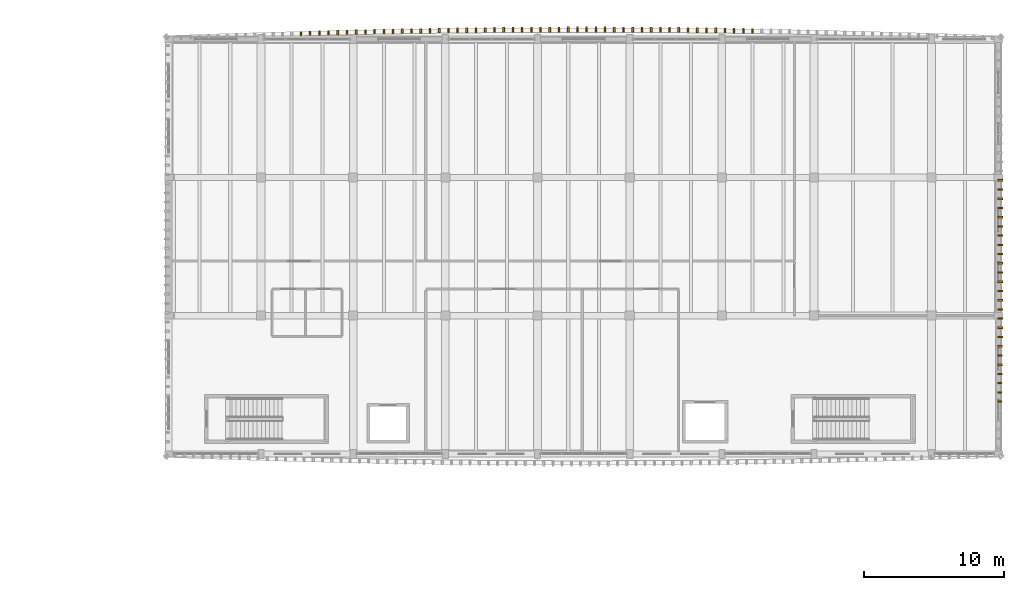
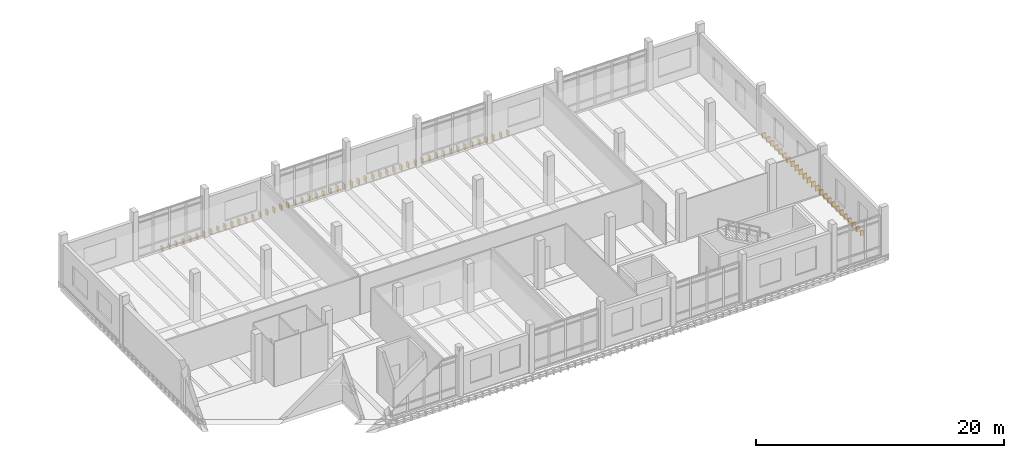
# One storey, part 49 of 50: 75 coverings.
"""IFC4 building model written with IfcOpenShell, lengths in metres."""

from ifc_helpers import new_model, si_unit, direction, frame, origin, origin_2d, place, context, subcontext, project, spatial, rectangle, extrude, material, layer, layer_set, type_object, element, save


model = new_model("IFC4")

# Units and contexts
model_context = context("Model", 3, precision=1e-05, world=origin(), true_north=direction((0.0, 1.0)))
body_context = subcontext(model_context, "Body", "Model", "MODEL_VIEW")
ifc_project = project(units=[si_unit("LENGTHUNIT", "METRE"), si_unit("AREAUNIT", "SQUARE_METRE"), si_unit("VOLUMEUNIT", "CUBIC_METRE"), si_unit("PLANEANGLEUNIT", "RADIAN"), si_unit("MASSUNIT", "GRAM", prefix="KILO")], contexts=[model_context])

# Site, building, storey
site_placement = place(None, origin())
site = spatial("IfcSite", under=ifc_project, at=site_placement, CompositionType="ELEMENT")
building_placement = place(site_placement, origin())
building = spatial("IfcBuilding", under=site, at=building_placement, Name="Dornvale Research Institute", CompositionType="ELEMENT")
storey_placement = place(building_placement, frame((0.0, 0.0, 19.800048828125)))
storey = spatial("IfcBuildingStorey", under=building, at=storey_placement, Name="L04", CompositionType="ELEMENT", Elevation=19.800048828125)

# Coverings
ifc_material = material(Name="Polychrome Glazed Terracotta Visor Rib Ceramic", Category="masonry")
ifc_layer = layer(ifc_material, 0.1201171875)
ifc_layer_set = layer_set([ifc_layer], Name="Polychrome Glazed Terracotta Visor Rib Ceramic")
covering_type = type_object("IfcCoveringType", Name="Covering_VisorBlade_Low", PredefinedType="CLADDING", material=ifc_layer_set)
covering_1_placement = place(storey_placement, frame((160.59619140625, 122.684814453125, -0.489990234375), z_axis=(0.0, 0.0, 1.0), x_axis=(0.0, 1.0, 0.0)))
element("IfcCovering", 1, at=covering_1_placement, inside=storey, type_object=covering_type, Name="L04 V4 canted glazed terracotta visor blade #2648", PredefinedType="CLADDING", context=body_context, shape_type="SweptSolid", body=[
    extrude(rectangle(XDim=0.3330078125, YDim=0.1201171875, at=origin_2d()), origin(), (0.0, 0.0, 1.0), 0.5),
])
covering_2_placement = place(storey_placement, frame((159.936279296875, 122.6962890625, -0.489990234375), z_axis=(0.0, 0.0, 1.0), x_axis=(0.0, 1.0, 0.0)))
element("IfcCovering", 2, at=covering_2_placement, inside=storey, type_object=covering_type, Name="L04 V4 canted glazed terracotta visor blade #2649", PredefinedType="CLADDING", context=body_context, shape_type="SweptSolid", body=[
    extrude(rectangle(XDim=0.3359375, YDim=0.1201171875, at=origin_2d()), origin(), (0.0, 0.0, 1.0), 0.5),
])
covering_3_placement = place(storey_placement, frame((159.276611328125, 122.706787109375, -0.489990234375), z_axis=(0.0, 0.0, 1.0), x_axis=(0.0, 1.0, 0.0)))
element("IfcCovering", 3, at=covering_3_placement, inside=storey, type_object=covering_type, Name="L04 V4 canted glazed terracotta visor blade #2650", PredefinedType="CLADDING", context=body_context, shape_type="SweptSolid", body=[
    extrude(rectangle(XDim=0.339111328125, YDim=0.1201171875, at=origin_2d()), origin(), (0.0, 0.0, 1.0), 0.5),
])
covering_4_placement = place(storey_placement, frame((158.616455078125, 122.716552734375, -0.489990234375), z_axis=(0.0, 0.0, 1.0), x_axis=(0.0, 1.0, 0.0)))
element("IfcCovering", 4, at=covering_4_placement, inside=storey, type_object=covering_type, Name="L04 V4 canted glazed terracotta visor blade #2651", PredefinedType="CLADDING", context=body_context, shape_type="SweptSolid", body=[
    extrude(rectangle(XDim=0.341064453125, YDim=0.1201171875, at=origin_2d()), origin(), (0.0, 0.0, 1.0), 0.5),
])
covering_5_placement = place(storey_placement, frame((157.95654296875, 122.725830078125, -0.489990234375), z_axis=(0.0, 0.0, 1.0), x_axis=(0.0, 1.0, 0.0)))
element("IfcCovering", 5, at=covering_5_placement, inside=storey, type_object=covering_type, Name="L04 V4 canted glazed terracotta visor blade #2652", PredefinedType="CLADDING", context=body_context, shape_type="SweptSolid", body=[
    extrude(rectangle(XDim=0.343994140625, YDim=0.1201171875, at=origin_2d()), origin(), (0.0, 0.0, 1.0), 0.5),
])
covering_6_placement = place(storey_placement, frame((157.296630859375, 122.734375, -0.489990234375), z_axis=(0.0, 0.0, 1.0), x_axis=(0.0, 1.0, 0.0)))
element("IfcCovering", 6, at=covering_6_placement, inside=storey, type_object=covering_type, Name="L04 V4 canted glazed terracotta visor blade #2653", PredefinedType="CLADDING", context=body_context, shape_type="SweptSolid", body=[
    extrude(rectangle(XDim=0.345947265625, YDim=0.1201171875, at=origin_2d()), origin(), (0.0, 0.0, 1.0), 0.5),
])
covering_7_placement = place(storey_placement, frame((156.63671875, 122.74267578125, -0.489990234375), z_axis=(0.0, 0.0, 1.0), x_axis=(0.0, 1.0, 0.0)))
element("IfcCovering", 7, at=covering_7_placement, inside=storey, type_object=covering_type, Name="L04 V4 canted glazed terracotta visor blade #2654", PredefinedType="CLADDING", context=body_context, shape_type="SweptSolid", body=[
    extrude(rectangle(XDim=0.347900390625, YDim=0.1201171875, at=origin_2d()), origin(), (0.0, 0.0, 1.0), 0.5),
])
covering_8_placement = place(storey_placement, frame((155.976806640625, 122.749755859375, -0.489990234375), z_axis=(0.0, 0.0, 1.0), x_axis=(0.0, 1.0, 0.0)))
element("IfcCovering", 8, at=covering_8_placement, inside=storey, type_object=covering_type, Name="L04 V4 canted glazed terracotta visor blade #2655", PredefinedType="CLADDING", context=body_context, shape_type="SweptSolid", body=[
    extrude(rectangle(XDim=0.35009765625, YDim=0.1201171875, at=origin_2d()), origin(), (0.0, 0.0, 1.0), 0.5),
])
covering_9_placement = place(storey_placement, frame((155.316650390625, 122.7568359375, -0.489990234375), z_axis=(0.0, 0.0, 1.0), x_axis=(0.0, 1.0, 0.0)))
element("IfcCovering", 9, at=covering_9_placement, inside=storey, type_object=covering_type, Name="L04 V4 canted glazed terracotta visor blade #2656", PredefinedType="CLADDING", context=body_context, shape_type="SweptSolid", body=[
    extrude(rectangle(XDim=0.35205078125, YDim=0.1201171875, at=origin_2d()), origin(), (0.0, 0.0, 1.0), 0.5),
])
covering_10_placement = place(storey_placement, frame((154.65673828125, 122.762451171875, -0.489990234375), z_axis=(0.0, 0.0, 1.0), x_axis=(0.0, 1.0, 0.0)))
element("IfcCovering", 10, at=covering_10_placement, inside=storey, type_object=covering_type, Name="L04 V4 canted glazed terracotta visor blade #2657", PredefinedType="CLADDING", context=body_context, shape_type="SweptSolid", body=[
    extrude(rectangle(XDim=0.35302734375, YDim=0.1201171875, at=origin_2d()), origin(), (0.0, 0.0, 1.0), 0.5),
])
covering_11_placement = place(storey_placement, frame((153.99658203125, 122.768310546875, -0.489990234375), z_axis=(0.0, 0.0, 1.0), x_axis=(0.0, 1.0, 0.0)))
element("IfcCovering", 11, at=covering_11_placement, inside=storey, type_object=covering_type, Name="L04 V4 canted glazed terracotta visor blade #2658", PredefinedType="CLADDING", context=body_context, shape_type="SweptSolid", body=[
    extrude(rectangle(XDim=0.35498046875, YDim=0.1201171875, at=origin_2d()), origin(), (0.0, 0.0, 1.0), 0.5),
])
covering_12_placement = place(storey_placement, frame((153.3369140625, 122.773193359375, -0.489990234375), z_axis=(0.0, 0.0, 1.0), x_axis=(0.0, 1.0, 0.0)))
element("IfcCovering", 12, at=covering_12_placement, inside=storey, type_object=covering_type, Name="L04 V4 canted glazed terracotta visor blade #2659", PredefinedType="CLADDING", context=body_context, shape_type="SweptSolid", body=[
    extrude(rectangle(XDim=0.35595703125, YDim=0.1201171875, at=origin_2d()), origin(), (0.0, 0.0, 1.0), 0.5),
])
covering_13_placement = place(storey_placement, frame((152.6767578125, 122.777099609375, -0.489990234375), z_axis=(0.0, 0.0, 1.0), x_axis=(0.0, 1.0, 0.0)))
element("IfcCovering", 13, at=covering_13_placement, inside=storey, type_object=covering_type, Name="L04 V4 canted glazed terracotta visor blade #2660", PredefinedType="CLADDING", context=body_context, shape_type="SweptSolid", body=[
    extrude(rectangle(XDim=0.35693359375, YDim=0.1201171875, at=origin_2d()), origin(), (0.0, 0.0, 1.0), 0.5),
])
covering_14_placement = place(storey_placement, frame((152.016845703125, 122.781005859375, -0.489990234375), z_axis=(0.0, 0.0, 1.0), x_axis=(0.0, 1.0, 0.0)))
element("IfcCovering", 14, at=covering_14_placement, inside=storey, type_object=covering_type, Name="L04 V4 canted glazed terracotta visor blade #2661", PredefinedType="CLADDING", context=body_context, shape_type="SweptSolid", body=[
    extrude(rectangle(XDim=0.35791015625, YDim=0.1201171875, at=origin_2d()), origin(), (0.0, 0.0, 1.0), 0.5),
])
for number, where, z_axis, x_axis, name in (
    (15, (151.356689453125, 122.7841796875, -0.489990234375), (0.0, 0.0, 1.0), (0.0, 1.0, 0.0), "L04 V4 canted glazed terracotta visor blade #2662"),
    (16, (150.69677734375, 122.7861328125, -0.489990234375), (0.0, 0.0, 1.0), (0.0, 1.0, 0.0), "L04 V4 canted glazed terracotta visor blade #2663"),
):
    element("IfcCovering", number, at=place(storey_placement, frame(where, z_axis=z_axis, x_axis=x_axis)), inside=storey, type_object=covering_type, Name=name, PredefinedType="CLADDING", context=body_context, shape_type="SweptSolid", body=[
        extrude(rectangle(XDim=0.35888671875, YDim=0.1201171875, at=origin_2d()), origin(), (0.0, 0.0, 1.0), 0.5),
    ])
for number, where, z_axis, x_axis, name in (
    (17, (150.036865234375, 122.788330078125, -0.489990234375), (0.0, 0.0, 1.0), (0.0, 1.0, 0.0), "L04 V4 canted glazed terracotta visor blade #2664"),
    (18, (149.376708984375, 122.7890625, -0.489990234375), (0.0, 0.0, 1.0), (0.0, 1.0, 0.0), "L04 V4 canted glazed terracotta visor blade #2665"),
    (19, (148.716796875, 122.789794921875, -0.489990234375), (0.0, 0.0, 1.0), (0.0, 1.0, 0.0), "L04 V4 canted glazed terracotta visor blade #2666"),
    (20, (148.056884765625, 122.78955078125, -0.489990234375), (0.0, 0.0, 1.0), (0.0, 1.0, 0.0), "L04 V4 canted glazed terracotta visor blade #2667"),
    (21, (147.396728515625, 122.788818359375, -0.489990234375), (0.0, 0.0, 1.0), (0.0, 1.0, 0.0), "L04 V4 canted glazed terracotta visor blade #2668"),
):
    element("IfcCovering", number, at=place(storey_placement, frame(where, z_axis=z_axis, x_axis=x_axis)), inside=storey, type_object=covering_type, Name=name, PredefinedType="CLADDING", context=body_context, shape_type="SweptSolid", body=[
        extrude(rectangle(XDim=0.360107421875, YDim=0.1201171875, at=origin_2d()), origin(), (0.0, 0.0, 1.0), 0.5),
    ])
for number, where, z_axis, x_axis, name in (
    (22, (146.73681640625, 122.78759765625, -0.489990234375), (0.0, 0.0, 1.0), (0.0, 1.0, 0.0), "L04 V4 canted glazed terracotta visor blade #2669"),
    (23, (146.076904296875, 122.785400390625, -0.489990234375), (0.0, 0.0, 1.0), (0.0, 1.0, 0.0), "L04 V4 canted glazed terracotta visor blade #2670"),
):
    element("IfcCovering", number, at=place(storey_placement, frame(where, z_axis=z_axis, x_axis=x_axis)), inside=storey, type_object=covering_type, Name=name, PredefinedType="CLADDING", context=body_context, shape_type="SweptSolid", body=[
        extrude(rectangle(XDim=0.35888671875, YDim=0.1201171875, at=origin_2d()), origin(), (0.0, 0.0, 1.0), 0.5),
    ])
covering_15_placement = place(storey_placement, frame((145.416748046875, 122.782958984375, -0.489990234375), z_axis=(0.0, 0.0, 1.0), x_axis=(0.0, 1.0, 0.0)))
element("IfcCovering", 24, at=covering_15_placement, inside=storey, type_object=covering_type, Name="L04 V4 canted glazed terracotta visor blade #2671", PredefinedType="CLADDING", context=body_context, shape_type="SweptSolid", body=[
    extrude(rectangle(XDim=0.35791015625, YDim=0.1201171875, at=origin_2d()), origin(), (0.0, 0.0, 1.0), 0.5),
])
covering_16_placement = place(storey_placement, frame((144.7568359375, 122.779296875, -0.489990234375), z_axis=(0.0, 0.0, 1.0), x_axis=(0.0, 1.0, 0.0)))
element("IfcCovering", 25, at=covering_16_placement, inside=storey, type_object=covering_type, Name="L04 V4 canted glazed terracotta visor blade #2672", PredefinedType="CLADDING", context=body_context, shape_type="SweptSolid", body=[
    extrude(rectangle(XDim=0.35693359375, YDim=0.1201171875, at=origin_2d()), origin(), (0.0, 0.0, 1.0), 0.5),
])
covering_17_placement = place(storey_placement, frame((144.0966796875, 122.775390625, -0.489990234375), z_axis=(0.0, 0.0, 1.0), x_axis=(0.0, 1.0, 0.0)))
element("IfcCovering", 26, at=covering_17_placement, inside=storey, type_object=covering_type, Name="L04 V4 canted glazed terracotta visor blade #2673", PredefinedType="CLADDING", context=body_context, shape_type="SweptSolid", body=[
    extrude(rectangle(XDim=0.35595703125, YDim=0.1201171875, at=origin_2d()), origin(), (0.0, 0.0, 1.0), 0.5),
])
covering_18_placement = place(storey_placement, frame((143.436767578125, 122.771484375, -0.489990234375), z_axis=(0.0, 0.0, 1.0), x_axis=(0.0, 1.0, 0.0)))
element("IfcCovering", 27, at=covering_18_placement, inside=storey, type_object=covering_type, Name="L04 V4 canted glazed terracotta visor blade #2674", PredefinedType="CLADDING", context=body_context, shape_type="SweptSolid", body=[
    extrude(rectangle(XDim=0.35498046875, YDim=0.1201171875, at=origin_2d()), origin(), (0.0, 0.0, 1.0), 0.5),
])
covering_19_placement = place(storey_placement, frame((142.77685546875, 122.76611328125, -0.489990234375), z_axis=(0.0, 0.0, 1.0), x_axis=(0.0, 1.0, 0.0)))
element("IfcCovering", 28, at=covering_19_placement, inside=storey, type_object=covering_type, Name="L04 V4 canted glazed terracotta visor blade #2675", PredefinedType="CLADDING", context=body_context, shape_type="SweptSolid", body=[
    extrude(rectangle(XDim=0.35400390625, YDim=0.1201171875, at=origin_2d()), origin(), (0.0, 0.0, 1.0), 0.5),
])
covering_20_placement = place(storey_placement, frame((142.116943359375, 122.760986328125, -0.489990234375), z_axis=(0.0, 0.0, 1.0), x_axis=(0.0, 1.0, 0.0)))
element("IfcCovering", 29, at=covering_20_placement, inside=storey, type_object=covering_type, Name="L04 V4 canted glazed terracotta visor blade #2676", PredefinedType="CLADDING", context=body_context, shape_type="SweptSolid", body=[
    extrude(rectangle(XDim=0.35302734375, YDim=0.1201171875, at=origin_2d()), origin(), (0.0, 0.0, 1.0), 0.5),
])
covering_21_placement = place(storey_placement, frame((141.456787109375, 122.754150390625, -0.489990234375), z_axis=(0.0, 0.0, 1.0), x_axis=(0.0, 1.0, 0.0)))
element("IfcCovering", 30, at=covering_21_placement, inside=storey, type_object=covering_type, Name="L04 V4 canted glazed terracotta visor blade #2677", PredefinedType="CLADDING", context=body_context, shape_type="SweptSolid", body=[
    extrude(rectangle(XDim=0.35107421875, YDim=0.1201171875, at=origin_2d()), origin(), (0.0, 0.0, 1.0), 0.5),
])
covering_22_placement = place(storey_placement, frame((140.796875, 122.7470703125, -0.489990234375), z_axis=(0.0, 0.0, 1.0), x_axis=(0.0, 1.0, 0.0)))
element("IfcCovering", 31, at=covering_22_placement, inside=storey, type_object=covering_type, Name="L04 V4 canted glazed terracotta visor blade #2678", PredefinedType="CLADDING", context=body_context, shape_type="SweptSolid", body=[
    extrude(rectangle(XDim=0.34912109375, YDim=0.1201171875, at=origin_2d()), origin(), (0.0, 0.0, 1.0), 0.5),
])
covering_23_placement = place(storey_placement, frame((140.136962890625, 122.73974609375, -0.489990234375), z_axis=(0.0, 0.0, 1.0), x_axis=(0.0, 1.0, 0.0)))
element("IfcCovering", 32, at=covering_23_placement, inside=storey, type_object=covering_type, Name="L04 V4 canted glazed terracotta visor blade #2679", PredefinedType="CLADDING", context=body_context, shape_type="SweptSolid", body=[
    extrude(rectangle(XDim=0.346923828125, YDim=0.1201171875, at=origin_2d()), origin(), (0.0, 0.0, 1.0), 0.5),
])
covering_24_placement = place(storey_placement, frame((139.47705078125, 122.731201171875, -0.489990234375), z_axis=(0.0, 0.0, 1.0), x_axis=(0.0, 1.0, 0.0)))
element("IfcCovering", 33, at=covering_24_placement, inside=storey, type_object=covering_type, Name="L04 V4 canted glazed terracotta visor blade #2680", PredefinedType="CLADDING", context=body_context, shape_type="SweptSolid", body=[
    extrude(rectangle(XDim=0.344970703125, YDim=0.1201171875, at=origin_2d()), origin(), (0.0, 0.0, 1.0), 0.5),
])
covering_25_placement = place(storey_placement, frame((138.81689453125, 122.722900390625, -0.489990234375), z_axis=(0.0, 0.0, 1.0), x_axis=(0.0, 1.0, 0.0)))
element("IfcCovering", 34, at=covering_25_placement, inside=storey, type_object=covering_type, Name="L04 V4 canted glazed terracotta visor blade #2681", PredefinedType="CLADDING", context=body_context, shape_type="SweptSolid", body=[
    extrude(rectangle(XDim=0.343017578125, YDim=0.1201171875, at=origin_2d()), origin(), (0.0, 0.0, 1.0), 0.5),
])
covering_26_placement = place(storey_placement, frame((138.156982421875, 122.71337890625, -0.489990234375), z_axis=(0.0, 0.0, 1.0), x_axis=(0.0, 1.0, 0.0)))
element("IfcCovering", 35, at=covering_26_placement, inside=storey, type_object=covering_type, Name="L04 V4 canted glazed terracotta visor blade #2682", PredefinedType="CLADDING", context=body_context, shape_type="SweptSolid", body=[
    extrude(rectangle(XDim=0.341064453125, YDim=0.1201171875, at=origin_2d()), origin(), (0.0, 0.0, 1.0), 0.5),
])
covering_27_placement = place(storey_placement, frame((137.4970703125, 122.703125, -0.489990234375), z_axis=(0.0, 0.0, 1.0), x_axis=(0.0, 1.0, 0.0)))
element("IfcCovering", 36, at=covering_27_placement, inside=storey, type_object=covering_type, Name="L04 V4 canted glazed terracotta visor blade #2683", PredefinedType="CLADDING", context=body_context, shape_type="SweptSolid", body=[
    extrude(rectangle(XDim=0.337890625, YDim=0.1201171875, at=origin_2d()), origin(), (0.0, 0.0, 1.0), 0.5),
])
covering_28_placement = place(storey_placement, frame((136.837158203125, 122.692626953125, -0.489990234375), z_axis=(0.0, 0.0, 1.0), x_axis=(0.0, 1.0, 0.0)))
element("IfcCovering", 37, at=covering_28_placement, inside=storey, type_object=covering_type, Name="L04 V4 canted glazed terracotta visor blade #2684", PredefinedType="CLADDING", context=body_context, shape_type="SweptSolid", body=[
    extrude(rectangle(XDim=0.3349609375, YDim=0.1201171875, at=origin_2d()), origin(), (0.0, 0.0, 1.0), 0.5),
])
covering_29_placement = place(storey_placement, frame((136.17724609375, 122.680908203125, -0.489990234375), z_axis=(0.0, 0.0, 1.0), x_axis=(0.0, 1.0, 0.0)))
element("IfcCovering", 38, at=covering_29_placement, inside=storey, type_object=covering_type, Name="L04 V4 canted glazed terracotta visor blade #2685", PredefinedType="CLADDING", context=body_context, shape_type="SweptSolid", body=[
    extrude(rectangle(XDim=0.33203125, YDim=0.1201171875, at=origin_2d()), origin(), (0.0, 0.0, 1.0), 0.5),
])
covering_30_placement = place(storey_placement, frame((135.517333984375, 122.669189453125, -0.489990234375), z_axis=(0.0, 0.0, 1.0), x_axis=(0.0, 1.0, 0.0)))
element("IfcCovering", 39, at=covering_30_placement, inside=storey, type_object=covering_type, Name="L04 V4 canted glazed terracotta visor blade #2686", PredefinedType="CLADDING", context=body_context, shape_type="SweptSolid", body=[
    extrude(rectangle(XDim=0.3291015625, YDim=0.1201171875, at=origin_2d()), origin(), (0.0, 0.0, 1.0), 0.5),
])
covering_31_placement = place(storey_placement, frame((134.857421875, 122.656494140625, -0.489990234375), z_axis=(0.0, 0.0, 1.0), x_axis=(0.0, 1.0, 0.0)))
element("IfcCovering", 40, at=covering_31_placement, inside=storey, type_object=covering_type, Name="L04 V4 canted glazed terracotta visor blade #2687", PredefinedType="CLADDING", context=body_context, shape_type="SweptSolid", body=[
    extrude(rectangle(XDim=0.325927734375, YDim=0.1201171875, at=origin_2d()), origin(), (0.0, 0.0, 1.0), 0.5),
])
covering_32_placement = place(storey_placement, frame((134.197509765625, 122.6435546875, -0.489990234375), z_axis=(0.0, 0.0, 1.0), x_axis=(0.0, 1.0, 0.0)))
element("IfcCovering", 41, at=covering_32_placement, inside=storey, type_object=covering_type, Name="L04 V4 canted glazed terracotta visor blade #2688", PredefinedType="CLADDING", context=body_context, shape_type="SweptSolid", body=[
    extrude(rectangle(XDim=0.322998046875, YDim=0.1201171875, at=origin_2d()), origin(), (0.0, 0.0, 1.0), 0.5),
])
covering_33_placement = place(storey_placement, frame((133.53759765625, 122.6298828125, -0.489990234375), z_axis=(0.0, 0.0, 1.0), x_axis=(0.0, 1.0, 0.0)))
element("IfcCovering", 42, at=covering_33_placement, inside=storey, type_object=covering_type, Name="L04 V4 canted glazed terracotta visor blade #2689", PredefinedType="CLADDING", context=body_context, shape_type="SweptSolid", body=[
    extrude(rectangle(XDim=0.319091796875, YDim=0.1201171875, at=origin_2d()), origin(), (0.0, 0.0, 1.0), 0.5),
])
covering_34_placement = place(storey_placement, frame((132.877685546875, 122.615478515625, -0.489990234375), z_axis=(0.0, 0.0, 1.0), x_axis=(0.0, 1.0, 0.0)))
element("IfcCovering", 43, at=covering_34_placement, inside=storey, type_object=covering_type, Name="L04 V4 canted glazed terracotta visor blade #2690", PredefinedType="CLADDING", context=body_context, shape_type="SweptSolid", body=[
    extrude(rectangle(XDim=0.31591796875, YDim=0.1201171875, at=origin_2d()), origin(), (0.0, 0.0, 1.0), 0.5),
])
covering_35_placement = place(storey_placement, frame((132.218017578125, 122.6005859375, -0.489990234375), z_axis=(0.0, 0.0, 1.0), x_axis=(0.0, 1.0, 0.0)))
element("IfcCovering", 44, at=covering_35_placement, inside=storey, type_object=covering_type, Name="L04 V4 canted glazed terracotta visor blade #2691", PredefinedType="CLADDING", context=body_context, shape_type="SweptSolid", body=[
    extrude(rectangle(XDim=0.31201171875, YDim=0.1201171875, at=origin_2d()), origin(), (0.0, 0.0, 1.0), 0.5),
])
covering_36_placement = place(storey_placement, frame((131.55810546875, 122.584716796875, -0.489990234375), z_axis=(0.0, 0.0, 1.0), x_axis=(0.0, 1.0, 0.0)))
element("IfcCovering", 45, at=covering_36_placement, inside=storey, type_object=covering_type, Name="L04 V4 canted glazed terracotta visor blade #2692", PredefinedType="CLADDING", context=body_context, shape_type="SweptSolid", body=[
    extrude(rectangle(XDim=0.30810546875, YDim=0.1201171875, at=origin_2d()), origin(), (0.0, 0.0, 1.0), 0.5),
])
covering_37_placement = place(storey_placement, frame((130.898193359375, 122.568359375, -0.489990234375), z_axis=(0.0, 0.0, 1.0), x_axis=(0.0, 1.0, 0.0)))
element("IfcCovering", 46, at=covering_37_placement, inside=storey, type_object=covering_type, Name="L04 V4 canted glazed terracotta visor blade #2693", PredefinedType="CLADDING", context=body_context, shape_type="SweptSolid", body=[
    extrude(rectangle(XDim=0.303955078125, YDim=0.1201171875, at=origin_2d()), origin(), (0.0, 0.0, 1.0), 0.5),
])
covering_38_placement = place(storey_placement, frame((130.23828125, 122.552001953125, -0.489990234375), z_axis=(0.0, 0.0, 1.0), x_axis=(0.0, 1.0, 0.0)))
element("IfcCovering", 47, at=covering_38_placement, inside=storey, type_object=covering_type, Name="L04 V4 canted glazed terracotta visor blade #2694", PredefinedType="CLADDING", context=body_context, shape_type="SweptSolid", body=[
    extrude(rectangle(XDim=0.300048828125, YDim=0.1201171875, at=origin_2d()), origin(), (0.0, 0.0, 1.0), 0.5),
])
covering_39_placement = place(storey_placement, frame((129.57861328125, 122.533935546875, -0.489990234375), z_axis=(0.0, 0.0, 1.0), x_axis=(0.0, 1.0, 0.0)))
element("IfcCovering", 48, at=covering_39_placement, inside=storey, type_object=covering_type, Name="L04 V4 canted glazed terracotta visor blade #2695", PredefinedType="CLADDING", context=body_context, shape_type="SweptSolid", body=[
    extrude(rectangle(XDim=0.294921875, YDim=0.1201171875, at=origin_2d()), origin(), (0.0, 0.0, 1.0), 0.5),
])
covering_40_placement = place(storey_placement, frame((128.918701171875, 122.515869140625, -0.489990234375), z_axis=(0.0, 0.0, 1.0), x_axis=(0.0, 1.0, 0.0)))
element("IfcCovering", 49, at=covering_40_placement, inside=storey, type_object=covering_type, Name="L04 V4 canted glazed terracotta visor blade #2696", PredefinedType="CLADDING", context=body_context, shape_type="SweptSolid", body=[
    extrude(rectangle(XDim=0.2900390625, YDim=0.1201171875, at=origin_2d()), origin(), (0.0, 0.0, 1.0), 0.5),
])
covering_41_placement = place(storey_placement, frame((128.2587890625, 122.497314453125, -0.489990234375), z_axis=(0.0, 0.0, 1.0), x_axis=(0.0, 1.0, 0.0)))
element("IfcCovering", 50, at=covering_41_placement, inside=storey, type_object=covering_type, Name="L04 V4 canted glazed terracotta visor blade #2697", PredefinedType="CLADDING", context=body_context, shape_type="SweptSolid", body=[
    extrude(rectangle(XDim=0.285888671875, YDim=0.1201171875, at=origin_2d()), origin(), (0.0, 0.0, 1.0), 0.5),
])
covering_42_placement = place(storey_placement, frame((178.29541015625, 96.14990234375, -0.489990234375), z_axis=(0.0, 0.0, 1.0), x_axis=(1.0, 0.0, 0.0)))
element("IfcCovering", 51, at=covering_42_placement, inside=storey, type_object=covering_type, Name="L04 V4 canted glazed terracotta visor blade #2716", PredefinedType="CLADDING", context=body_context, shape_type="SweptSolid", body=[
    extrude(rectangle(XDim=0.27099609375, YDim=0.1201171875, at=origin_2d()), origin(), (0.0, 0.0, 1.0), 0.5),
])
covering_43_placement = place(storey_placement, frame((178.300537109375, 96.81005859375, -0.489990234375), z_axis=(0.0, 0.0, 1.0), x_axis=(1.0, 0.0, 0.0)))
element("IfcCovering", 52, at=covering_43_placement, inside=storey, type_object=covering_type, Name="L04 V4 canted glazed terracotta visor blade #2717", PredefinedType="CLADDING", context=body_context, shape_type="SweptSolid", body=[
    extrude(rectangle(XDim=0.281005859375, YDim=0.1201171875, at=origin_2d()), origin(), (0.0, 0.0, 1.0), 0.5),
])
covering_44_placement = place(storey_placement, frame((178.305419921875, 97.469970703125, -0.489990234375), z_axis=(0.0, 0.0, 1.0), x_axis=(1.0, 0.0, 0.0)))
element("IfcCovering", 53, at=covering_44_placement, inside=storey, type_object=covering_type, Name="L04 V4 canted glazed terracotta visor blade #2718", PredefinedType="CLADDING", context=body_context, shape_type="SweptSolid", body=[
    extrude(rectangle(XDim=0.291015625, YDim=0.1201171875, at=origin_2d()), origin(), (0.0, 0.0, 1.0), 0.5),
])
covering_45_placement = place(storey_placement, frame((178.31005859375, 98.1298828125, -0.489990234375), z_axis=(0.0, 0.0, 1.0), x_axis=(1.0, 0.0, 0.0)))
element("IfcCovering", 54, at=covering_45_placement, inside=storey, type_object=covering_type, Name="L04 V4 canted glazed terracotta visor blade #2719", PredefinedType="CLADDING", context=body_context, shape_type="SweptSolid", body=[
    extrude(rectangle(XDim=0.300048828125, YDim=0.1201171875, at=origin_2d()), origin(), (0.0, 0.0, 1.0), 0.5),
])
covering_46_placement = place(storey_placement, frame((178.31396484375, 98.7900390625, -0.489990234375), z_axis=(0.0, 0.0, 1.0), x_axis=(1.0, 0.0, 0.0)))
element("IfcCovering", 55, at=covering_46_placement, inside=storey, type_object=covering_type, Name="L04 V4 canted glazed terracotta visor blade #2720", PredefinedType="CLADDING", context=body_context, shape_type="SweptSolid", body=[
    extrude(rectangle(XDim=0.30810546875, YDim=0.1201171875, at=origin_2d()), origin(), (0.0, 0.0, 1.0), 0.5),
])
covering_47_placement = place(storey_placement, frame((178.318115234375, 99.449951171875, -0.489990234375), z_axis=(0.0, 0.0, 1.0), x_axis=(1.0, 0.0, 0.0)))
element("IfcCovering", 56, at=covering_47_placement, inside=storey, type_object=covering_type, Name="L04 V4 canted glazed terracotta visor blade #2721", PredefinedType="CLADDING", context=body_context, shape_type="SweptSolid", body=[
    extrude(rectangle(XDim=0.31591796875, YDim=0.1201171875, at=origin_2d()), origin(), (0.0, 0.0, 1.0), 0.5),
])
covering_48_placement = place(storey_placement, frame((178.321533203125, 100.110107421875, -0.489990234375), z_axis=(0.0, 0.0, 1.0), x_axis=(1.0, 0.0, 0.0)))
element("IfcCovering", 57, at=covering_48_placement, inside=storey, type_object=covering_type, Name="L04 V4 canted glazed terracotta visor blade #2722", PredefinedType="CLADDING", context=body_context, shape_type="SweptSolid", body=[
    extrude(rectangle(XDim=0.322998046875, YDim=0.1201171875, at=origin_2d()), origin(), (0.0, 0.0, 1.0), 0.5),
])
covering_49_placement = place(storey_placement, frame((178.324951171875, 100.77001953125, -0.489990234375), z_axis=(0.0, 0.0, 1.0), x_axis=(1.0, 0.0, 0.0)))
element("IfcCovering", 58, at=covering_49_placement, inside=storey, type_object=covering_type, Name="L04 V4 canted glazed terracotta visor blade #2723", PredefinedType="CLADDING", context=body_context, shape_type="SweptSolid", body=[
    extrude(rectangle(XDim=0.330078125, YDim=0.1201171875, at=origin_2d()), origin(), (0.0, 0.0, 1.0), 0.5),
])
covering_50_placement = place(storey_placement, frame((178.327392578125, 101.429931640625, -0.489990234375), z_axis=(0.0, 0.0, 1.0), x_axis=(1.0, 0.0, 0.0)))
element("IfcCovering", 59, at=covering_50_placement, inside=storey, type_object=covering_type, Name="L04 V4 canted glazed terracotta visor blade #2724", PredefinedType="CLADDING", context=body_context, shape_type="SweptSolid", body=[
    extrude(rectangle(XDim=0.3349609375, YDim=0.1201171875, at=origin_2d()), origin(), (0.0, 0.0, 1.0), 0.5),
])
covering_51_placement = place(storey_placement, frame((178.33056640625, 102.090087890625, -0.489990234375), z_axis=(0.0, 0.0, 1.0), x_axis=(1.0, 0.0, 0.0)))
element("IfcCovering", 60, at=covering_51_placement, inside=storey, type_object=covering_type, Name="L04 V4 canted glazed terracotta visor blade #2725", PredefinedType="CLADDING", context=body_context, shape_type="SweptSolid", body=[
    extrude(rectangle(XDim=0.341064453125, YDim=0.1201171875, at=origin_2d()), origin(), (0.0, 0.0, 1.0), 0.5),
])
covering_52_placement = place(storey_placement, frame((178.33251953125, 102.75, -0.489990234375), z_axis=(0.0, 0.0, 1.0), x_axis=(1.0, 0.0, 0.0)))
element("IfcCovering", 61, at=covering_52_placement, inside=storey, type_object=covering_type, Name="L04 V4 canted glazed terracotta visor blade #2726", PredefinedType="CLADDING", context=body_context, shape_type="SweptSolid", body=[
    extrude(rectangle(XDim=0.344970703125, YDim=0.1201171875, at=origin_2d()), origin(), (0.0, 0.0, 1.0), 0.5),
])
covering_53_placement = place(storey_placement, frame((178.33447265625, 103.409912109375, -0.489990234375), z_axis=(0.0, 0.0, 1.0), x_axis=(1.0, 0.0, 0.0)))
element("IfcCovering", 62, at=covering_53_placement, inside=storey, type_object=covering_type, Name="L04 V4 canted glazed terracotta visor blade #2727", PredefinedType="CLADDING", context=body_context, shape_type="SweptSolid", body=[
    extrude(rectangle(XDim=0.34912109375, YDim=0.1201171875, at=origin_2d()), origin(), (0.0, 0.0, 1.0), 0.5),
])
covering_54_placement = place(storey_placement, frame((178.33642578125, 104.070068359375, -0.489990234375), z_axis=(0.0, 0.0, 1.0), x_axis=(1.0, 0.0, 0.0)))
element("IfcCovering", 63, at=covering_54_placement, inside=storey, type_object=covering_type, Name="L04 V4 canted glazed terracotta visor blade #2728", PredefinedType="CLADDING", context=body_context, shape_type="SweptSolid", body=[
    extrude(rectangle(XDim=0.35302734375, YDim=0.1201171875, at=origin_2d()), origin(), (0.0, 0.0, 1.0), 0.5),
])
covering_55_placement = place(storey_placement, frame((178.33740234375, 104.72998046875, -0.489990234375), z_axis=(0.0, 0.0, 1.0), x_axis=(1.0, 0.0, 0.0)))
element("IfcCovering", 64, at=covering_55_placement, inside=storey, type_object=covering_type, Name="L04 V4 canted glazed terracotta visor blade #2729", PredefinedType="CLADDING", context=body_context, shape_type="SweptSolid", body=[
    extrude(rectangle(XDim=0.35498046875, YDim=0.1201171875, at=origin_2d()), origin(), (0.0, 0.0, 1.0), 0.5),
])
covering_56_placement = place(storey_placement, frame((178.33837890625, 105.389892578125, -0.489990234375), z_axis=(0.0, 0.0, 1.0), x_axis=(1.0, 0.0, 0.0)))
element("IfcCovering", 65, at=covering_56_placement, inside=storey, type_object=covering_type, Name="L04 V4 canted glazed terracotta visor blade #2730", PredefinedType="CLADDING", context=body_context, shape_type="SweptSolid", body=[
    extrude(rectangle(XDim=0.35693359375, YDim=0.1201171875, at=origin_2d()), origin(), (0.0, 0.0, 1.0), 0.5),
])
covering_57_placement = place(storey_placement, frame((178.339599609375, 106.050048828125, -0.489990234375), z_axis=(0.0, 0.0, 1.0), x_axis=(1.0, 0.0, 0.0)))
element("IfcCovering", 66, at=covering_57_placement, inside=storey, type_object=covering_type, Name="L04 V4 canted glazed terracotta visor blade #2731", PredefinedType="CLADDING", context=body_context, shape_type="SweptSolid", body=[
    extrude(rectangle(XDim=0.35888671875, YDim=0.1201171875, at=origin_2d()), origin(), (0.0, 0.0, 1.0), 0.5),
])
for number, where, z_axis, x_axis, name in (
    (67, (178.340087890625, 106.7099609375, -0.489990234375), (0.0, 0.0, 1.0), (1.0, 0.0, 0.0), "L04 V4 canted glazed terracotta visor blade #2732"),
    (68, (178.340087890625, 107.3701171875, -0.489990234375), (0.0, 0.0, 1.0), (1.0, 0.0, 0.0), "L04 V4 canted glazed terracotta visor blade #2733"),
    (69, (178.340087890625, 108.030029296875, -0.489990234375), (0.0, 0.0, 1.0), (1.0, 0.0, 0.0), "L04 V4 canted glazed terracotta visor blade #2734"),
):
    element("IfcCovering", number, at=place(storey_placement, frame(where, z_axis=z_axis, x_axis=x_axis)), inside=storey, type_object=covering_type, Name=name, PredefinedType="CLADDING", context=body_context, shape_type="SweptSolid", body=[
        extrude(rectangle(XDim=0.360107421875, YDim=0.1201171875, at=origin_2d()), origin(), (0.0, 0.0, 1.0), 0.5),
    ])
covering_58_placement = place(storey_placement, frame((178.339111328125, 108.68994140625, -0.489990234375), z_axis=(0.0, 0.0, 1.0), x_axis=(1.0, 0.0, 0.0)))
element("IfcCovering", 70, at=covering_58_placement, inside=storey, type_object=covering_type, Name="L04 V4 canted glazed terracotta visor blade #2735", PredefinedType="CLADDING", context=body_context, shape_type="SweptSolid", body=[
    extrude(rectangle(XDim=0.35791015625, YDim=0.1201171875, at=origin_2d()), origin(), (0.0, 0.0, 1.0), 0.5),
])
covering_59_placement = place(storey_placement, frame((178.33837890625, 109.35009765625, -0.489990234375), z_axis=(0.0, 0.0, 1.0), x_axis=(1.0, 0.0, 0.0)))
element("IfcCovering", 71, at=covering_59_placement, inside=storey, type_object=covering_type, Name="L04 V4 canted glazed terracotta visor blade #2736", PredefinedType="CLADDING", context=body_context, shape_type="SweptSolid", body=[
    extrude(rectangle(XDim=0.35693359375, YDim=0.1201171875, at=origin_2d()), origin(), (0.0, 0.0, 1.0), 0.5),
])
covering_60_placement = place(storey_placement, frame((178.3369140625, 110.010009765625, -0.489990234375), z_axis=(0.0, 0.0, 1.0), x_axis=(1.0, 0.0, 0.0)))
element("IfcCovering", 72, at=covering_60_placement, inside=storey, type_object=covering_type, Name="L04 V4 canted glazed terracotta visor blade #2737", PredefinedType="CLADDING", context=body_context, shape_type="SweptSolid", body=[
    extrude(rectangle(XDim=0.35400390625, YDim=0.1201171875, at=origin_2d()), origin(), (0.0, 0.0, 1.0), 0.5),
])
covering_61_placement = place(storey_placement, frame((178.3359375, 110.669921875, -0.489990234375), z_axis=(0.0, 0.0, 1.0), x_axis=(1.0, 0.0, 0.0)))
element("IfcCovering", 73, at=covering_61_placement, inside=storey, type_object=covering_type, Name="L04 V4 canted glazed terracotta visor blade #2738", PredefinedType="CLADDING", context=body_context, shape_type="SweptSolid", body=[
    extrude(rectangle(XDim=0.35205078125, YDim=0.1201171875, at=origin_2d()), origin(), (0.0, 0.0, 1.0), 0.5),
])
covering_62_placement = place(storey_placement, frame((178.333984375, 111.330078125, -0.489990234375), z_axis=(0.0, 0.0, 1.0), x_axis=(1.0, 0.0, 0.0)))
element("IfcCovering", 74, at=covering_62_placement, inside=storey, type_object=covering_type, Name="L04 V4 canted glazed terracotta visor blade #2739", PredefinedType="CLADDING", context=body_context, shape_type="SweptSolid", body=[
    extrude(rectangle(XDim=0.347900390625, YDim=0.1201171875, at=origin_2d()), origin(), (0.0, 0.0, 1.0), 0.5),
])
covering_63_placement = place(storey_placement, frame((178.33203125, 111.989990234375, -0.489990234375), z_axis=(0.0, 0.0, 1.0), x_axis=(1.0, 0.0, 0.0)))
element("IfcCovering", 75, at=covering_63_placement, inside=storey, type_object=covering_type, Name="L04 V4 canted glazed terracotta visor blade #2740", PredefinedType="CLADDING", context=body_context, shape_type="SweptSolid", body=[
    extrude(rectangle(XDim=0.343994140625, YDim=0.1201171875, at=origin_2d()), origin(), (0.0, 0.0, 1.0), 0.5),
])

save(model, "model.ifc")
